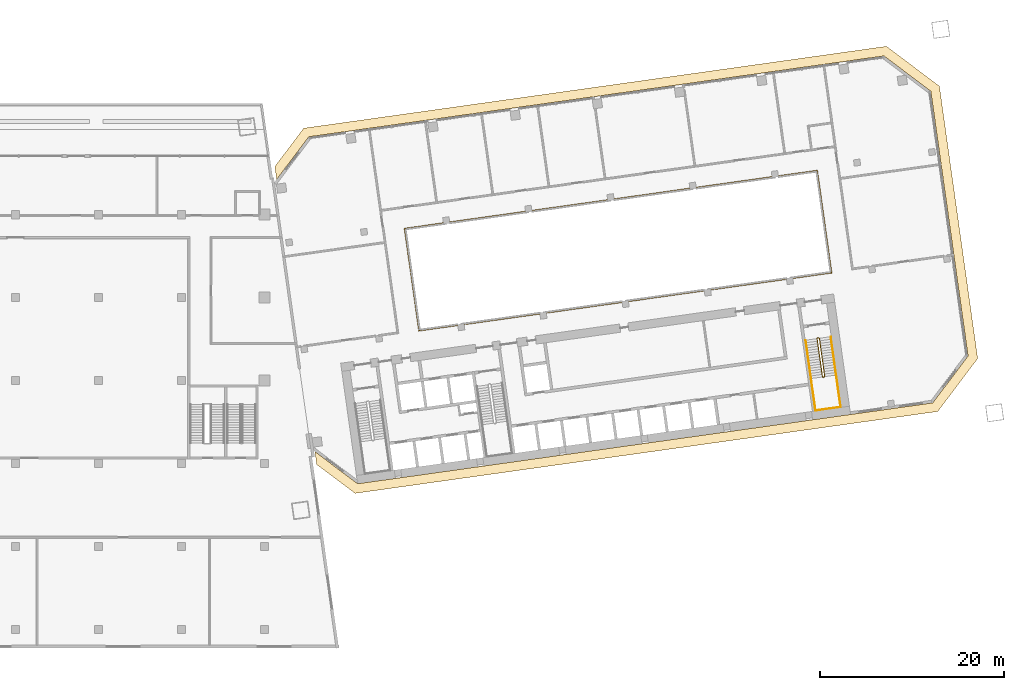
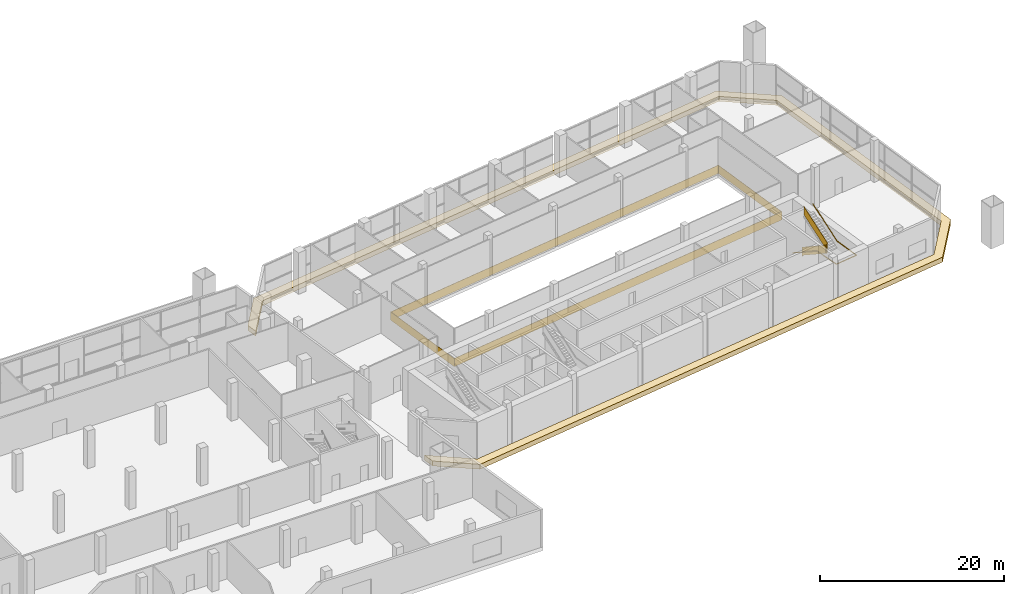
# One storey, part 23 of 23: 3 railings, 1 covering.
"""IFC4 building model written with IfcOpenShell, lengths in metres."""

from ifc_helpers import new_model, si_unit, direction, frame, origin, origin_2d, place, context, subcontext, project, spatial, polyline, rectangle, outline, extrude, material, layer, layer_set, type_object, element, save


model = new_model("IFC4")

# Units and contexts
model_context = context("Model", 3, precision=1e-05, world=origin(), true_north=direction((0.0, 1.0)))
body_context = subcontext(model_context, "Body", "Model", "MODEL_VIEW")
ifc_project = project(units=[si_unit("LENGTHUNIT", "METRE"), si_unit("AREAUNIT", "SQUARE_METRE"), si_unit("VOLUMEUNIT", "CUBIC_METRE"), si_unit("PLANEANGLEUNIT", "RADIAN"), si_unit("MASSUNIT", "GRAM", prefix="KILO")], contexts=[model_context])

# Site, building, storey
site_placement = place(None, origin())
site = spatial("IfcSite", under=ifc_project, at=site_placement, CompositionType="ELEMENT")
building_placement = place(site_placement, origin())
building = spatial("IfcBuilding", under=site, at=building_placement, Name="Mirante Cascada Hotel Towers", CompositionType="ELEMENT")
storey_placement = place(building_placement, frame((0.0, 0.0, 23.5)))
storey = spatial("IfcBuildingStorey", under=building, at=storey_placement, Name="L03", CompositionType="ELEMENT", Elevation=23.5)

# Railing
ifc_material_1 = material(Name="Painted steel", Category="steel")
railing_type_1 = type_object("IfcRailingType", Name="Atrium edge guard 1100 steel balustrade", PredefinedType="GUARDRAIL", material=ifc_material_1)
railing_1_placement = place(storey_placement, frame((43.7567, -3.601, 0.0)))
element("IfcRailing", 1, at=railing_1_placement, inside=storey, type_object=railing_type_1, Name="Atrium guard T2 L03", PredefinedType="GUARDRAIL", context=body_context, shape_type="SweptSolid", body=[
    extrude(rectangle(XDim=0.048, YDim=0.048, at=origin_2d()), frame((0.0, 0.0, 1.076), z_axis=(0.9902681, 0.1391726, 0.0), x_axis=(-0.1391726, 0.9902681, 0.0)), (0.0, 0.0, 1.0), 45.2),
    extrude(rectangle(XDim=0.02, YDim=1.052, at=origin_2d()), frame((0.0, 0.0, 0.526), z_axis=(0.9902681, 0.1391726, 0.0), x_axis=(-0.1391726, 0.9902681, 0.0)), (0.0, 0.0, 1.0), 45.2),
    extrude(rectangle(XDim=0.048, YDim=0.048, at=origin_2d()), frame((44.7601, 6.2906, 1.076), z_axis=(-0.1391697, 0.9902685, 0.0), x_axis=(-0.9902685, -0.1391697, 0.0)), (0.0, 0.0, 1.0), 11.2),
    extrude(rectangle(XDim=0.02, YDim=1.052, at=origin_2d()), frame((44.7601, 6.2906, 0.526), z_axis=(-0.1391697, 0.9902685, 0.0), x_axis=(-0.9902685, -0.1391697, 0.0)), (0.0, 0.0, 1.0), 11.2),
    extrude(rectangle(XDim=0.048, YDim=0.048, at=origin_2d()), frame((43.2014, 17.3816, 1.076), z_axis=(-0.9902681, -0.1391726, 0.0), x_axis=(0.1391726, -0.9902681, 0.0)), (0.0, 0.0, 1.0), 45.2),
    extrude(rectangle(XDim=0.02, YDim=1.052, at=origin_2d()), frame((43.2014, 17.3816, 0.526), z_axis=(-0.9902681, -0.1391726, 0.0), x_axis=(0.1391726, -0.9902681, 0.0)), (0.0, 0.0, 1.0), 45.2),
    extrude(rectangle(XDim=0.048, YDim=0.048, at=origin_2d()), frame((-1.5587, 11.091, 1.076), z_axis=(0.1391697, -0.9902685, 0.0), x_axis=(0.9902685, 0.1391697, 0.0)), (0.0, 0.0, 1.0), 11.2),
    extrude(rectangle(XDim=0.02, YDim=1.052, at=origin_2d()), frame((-1.5587, 11.091, 0.526), z_axis=(0.1391697, -0.9902685, 0.0), x_axis=(0.9902685, 0.1391697, 0.0)), (0.0, 0.0, 1.0), 11.2),
])

# Covering
ifc_material_2 = material(Name="Precast concrete C40/50 white", Category="concrete")
ifc_layer = layer(ifc_material_2, 0.6)
ifc_layer_set = layer_set([ifc_layer], Name="Precast concrete SUNSHADE band 1000x600")
covering_type = type_object("IfcCoveringType", Name="Precast concrete SUNSHADE band 1000x600", PredefinedType="CLADDING", material=ifc_layer_set)
covering_placement = place(storey_placement, frame((0.0, 0.0, -0.5)))
element("IfcCovering", 2, at=covering_placement, inside=storey, type_object=covering_type, Name="Precast concrete SUNSHADE band T2 L03", PredefinedType="CLADDING", context=body_context, shape_type="SweptSolid", body=[
    extrude(outline(polyline([(94.4698, 27.2572), (100.2139, 22.9287), (104.3652, -6.6094), (100.0367, -12.3535), (36.8295, -21.2367), (32.6666, -18.0998), (32.4698, -16.6993), (37.1005, -20.1888), (99.4874, -11.4209), (103.3173, -6.3384), (99.2813, 22.3794), (94.1988, 26.2093), (31.8119, 17.4414), (28.3224, 12.8107), (28.1256, 14.2111), (31.2626, 18.374), (94.4698, 27.2572)])), origin(), (0.0, 0.0, 1.0), 0.65),
])

# Railings
ifc_material_3 = material(Name="Painted steel", Category="steel")
railing_type_2 = type_object("IfcRailingType", Name="Stair guard 1100 steel balustrade", PredefinedType="GUARDRAIL", material=ifc_material_3)
railing_2_placement = place(storey_placement, frame((87.1361, -4.3713, 0.0)))
element("IfcRailing", 3, at=railing_2_placement, inside=storey, type_object=railing_type_2, Name="L03 ST2-C stair guard 1", PredefinedType="GUARDRAIL", context=body_context, shape_type="SweptSolid", body=[
    extrude(rectangle(XDim=0.048, YDim=0.048, at=origin_2d()), frame((0.0, 0.0, 1.076), z_axis=(-0.9902537, -0.1392753, 0.0), x_axis=(0.1392753, -0.9902537, 0.0)), (0.0, 0.0, 1.0), 0.1501),
    extrude(rectangle(XDim=0.02, YDim=1.052, at=origin_2d()), frame((0.0, 0.0, 0.526), z_axis=(-0.9902537, -0.1392753, 0.0), x_axis=(0.1392753, -0.9902537, 0.0)), (0.0, 0.0, 1.0), 0.1501),
    extrude(rectangle(XDim=0.048, YDim=0.048, at=origin_2d()), frame((-0.1486, -0.0209, 1.076), z_axis=(-0.601811, -0.7986386, 0.0), x_axis=(0.7986386, -0.601811, 0.0)), (0.0, 0.924985, 0.3800036), 0.1858),
    extrude(rectangle(XDim=0.02, YDim=1.052, at=origin_2d()), frame((-0.1486, -0.0209, 0.526), z_axis=(-0.601811, -0.7986386, 0.0), x_axis=(0.7986386, -0.601811, 0.0)), (0.0, 0.924985, 0.3800036), 0.1858),
    extrude(rectangle(XDim=0.048, YDim=0.048, at=origin_2d()), frame((-0.1911, -0.0773, 1.2479), z_axis=(0.1391676, -0.9902688, 0.0), x_axis=(0.9902688, 0.1391676, 0.0)), (0.0, 0.5231408, 0.8522463), 4.9281),
    extrude(rectangle(XDim=0.02, YDim=1.052, at=origin_2d()), frame((-0.1911, -0.0773, 0.6979), z_axis=(0.1391676, -0.9902688, 0.0), x_axis=(0.9902688, 0.1391676, 0.0)), (0.0, 0.5231408, 0.8522463), 4.9281),
    extrude(rectangle(XDim=0.048, YDim=0.048, at=origin_2d()), frame((0.3934, -4.2364, 3.826), z_axis=(0.9944441, -0.1052656, 0.0), x_axis=(0.1052656, 0.9944441, 0.0)), (0.0, 0.0, 1.0), 0.2061),
    extrude(rectangle(XDim=0.02, YDim=1.052, at=origin_2d()), frame((0.3934, -4.2364, 3.276), z_axis=(0.9944441, -0.1052656, 0.0), x_axis=(0.1052656, 0.9944441, 0.0)), (0.0, 0.0, 1.0), 0.2061),
    extrude(rectangle(XDim=0.048, YDim=0.048, at=origin_2d()), frame((0.5984, -4.2581, 3.826), z_axis=(-0.9902408, -0.1393672, 0.0), x_axis=(0.1393672, -0.9902408, 0.0)), (0.0, 0.0, 1.0), 0.15),
    extrude(rectangle(XDim=0.02, YDim=1.052, at=origin_2d()), frame((0.5984, -4.2581, 3.276), z_axis=(-0.9902408, -0.1393672, 0.0), x_axis=(0.1393672, -0.9902408, 0.0)), (0.0, 0.0, 1.0), 0.15),
    extrude(rectangle(XDim=0.048, YDim=0.048, at=origin_2d()), frame((0.4499, -4.279, 3.826), z_axis=(0.9270311, 0.3749843, 0.0), x_axis=(-0.3749843, 0.9270311, 0.0)), (0.0, 0.6404373, 0.7680104), 0.2684),
    extrude(rectangle(XDim=0.02, YDim=1.052, at=origin_2d()), frame((0.4499, -4.279, 3.276), z_axis=(0.9270311, 0.3749843, 0.0), x_axis=(-0.3749843, 0.9270311, 0.0)), (0.0, 0.6404373, 0.7680104), 0.2684),
    extrude(rectangle(XDim=0.048, YDim=0.048, at=origin_2d()), frame((0.641, -4.2017, 3.9979), z_axis=(-0.1391877, 0.990266, 0.0), x_axis=(-0.990266, -0.1391877, 0.0)), (0.0, 0.5231306, 0.8522525), 4.9282),
    extrude(rectangle(XDim=0.02, YDim=1.052, at=origin_2d()), frame((0.641, -4.2017, 3.4479), z_axis=(-0.1391877, 0.990266, 0.0), x_axis=(-0.990266, -0.1391877, 0.0)), (0.0, 0.5231306, 0.8522525), 4.9282),
])
ifc_material_4 = material(Name="Painted steel", Category="steel")
railing_type_3 = type_object("IfcRailingType", Name="Stair handrail 900 steel tube", PredefinedType="HANDRAIL", material=ifc_material_4)
railing_3_placement = place(storey_placement, frame((85.7071, -4.6226, 0.1719)))
element("IfcRailing", 4, at=railing_3_placement, inside=storey, type_object=railing_type_3, Name="L03 ST2-C stair handrail 1", PredefinedType="HANDRAIL", context=body_context, shape_type="SweptSolid", body=[
    extrude(rectangle(XDim=0.048, YDim=0.048, at=origin_2d()), frame((0.0, 0.0, 0.876), z_axis=(0.139191, -0.9902656, 0.0), x_axis=(0.9902656, 0.139191, 0.0)), (0.0, 0.5231396, 0.852247), 4.9281),
    extrude(rectangle(XDim=0.048, YDim=0.048, at=origin_2d()), frame((0.5845, -4.1581, 3.4541), z_axis=(0.139169, -0.9902686, 0.0), x_axis=(0.9902686, 0.139169, 0.0)), (0.0, 0.0490543, 0.9987961), 3.5053),
    extrude(rectangle(XDim=0.048, YDim=0.048, at=origin_2d()), frame((1.0717, -7.6251, 3.626), z_axis=(0.9902641, 0.1392013, 0.0), x_axis=(-0.1392013, 0.9902641, 0.0)), (0.0, 0.0, 1.0), 2.75),
    extrude(rectangle(XDim=0.048, YDim=0.048, at=origin_2d()), frame((3.7949, -7.2423, 3.626), z_axis=(-0.139173, 0.9902681, 0.0), x_axis=(-0.9902681, -0.139173, 0.0)), (0.0, 0.0, 1.0), 3.5),
    extrude(rectangle(XDim=0.048, YDim=0.048, at=origin_2d()), frame((3.3079, -3.7772, 3.6255), z_axis=(-0.1391676, 0.9902688, 0.0), x_axis=(-0.9902688, -0.1391676, 0.0)), (0.0, 0.5231408, 0.8522463), 4.9291),
])

save(model, "model.ifc")
